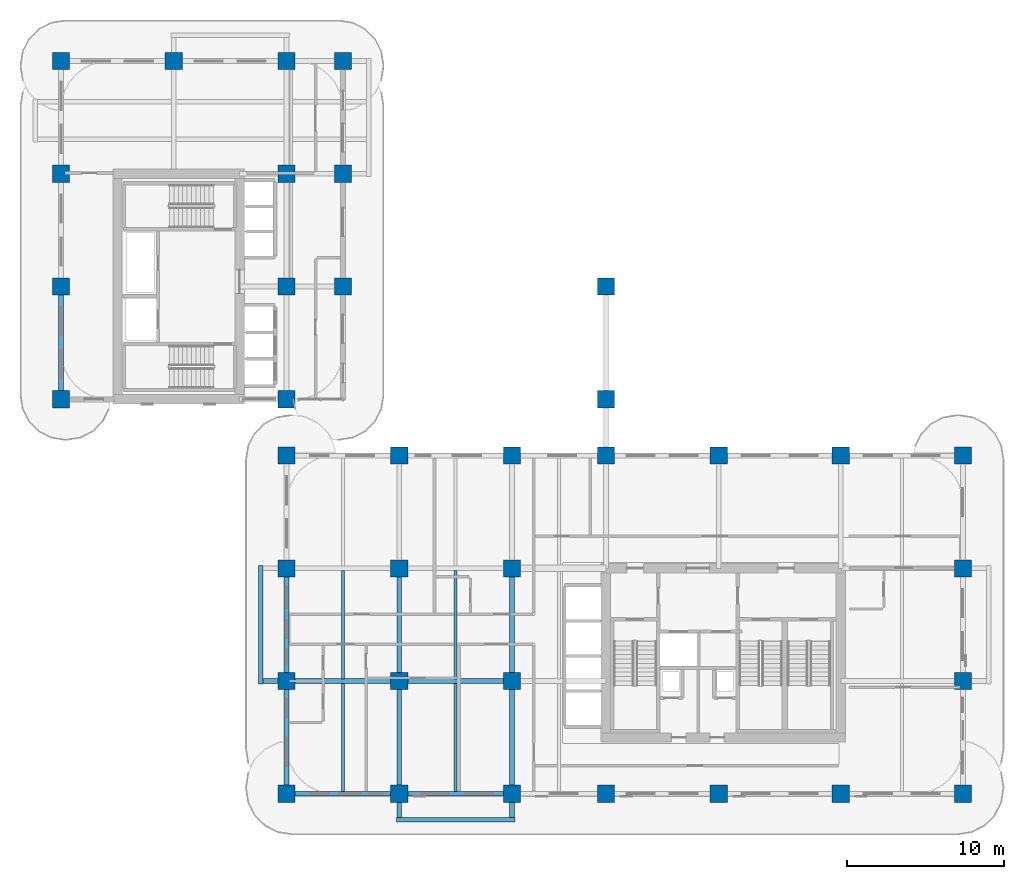
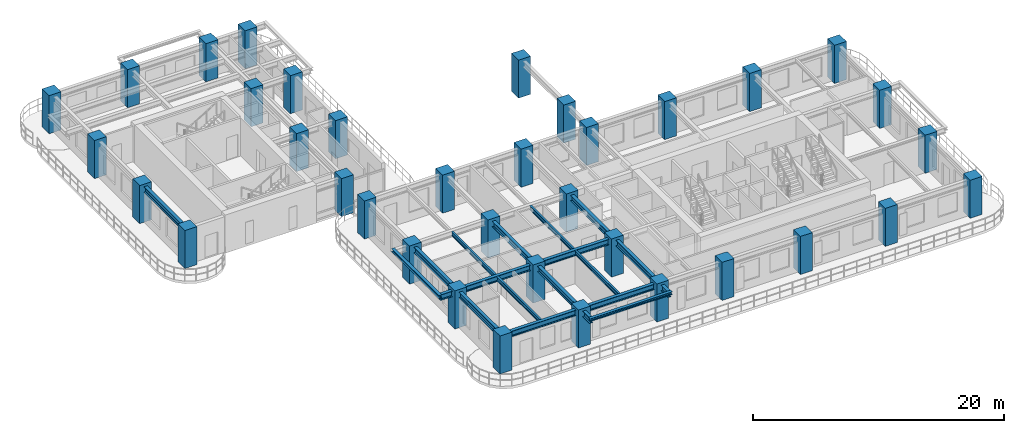
# One storey, part 1 of 19: 36 columns, 17 beams.
"""IFC4 building model written with IfcOpenShell, lengths in metres."""

from ifc_helpers import new_model, si_unit, derived_unit, direction, frame, origin, origin_2d, place, context, subcontext, project, spatial, rectangle, i_section, extrude, source, transform, mapped, material, material_profile, profile_set, type_object, type_shapes, element, save


model = new_model("IFC4")

# Units and contexts
model_context = context("Model", 3, precision=1e-05, world=origin(), true_north=direction((0.0, 1.0)))
body_context = subcontext(model_context, "Body", "Model", "MODEL_VIEW")
ifc_project = project(units=[si_unit("LENGTHUNIT", "METRE"), si_unit("AREAUNIT", "SQUARE_METRE"), si_unit("VOLUMEUNIT", "CUBIC_METRE"), si_unit("PLANEANGLEUNIT", "RADIAN"), si_unit("MASSUNIT", "GRAM", prefix="KILO"), si_unit("THERMODYNAMICTEMPERATUREUNIT", "KELVIN"), si_unit("POWERUNIT", "WATT"), derived_unit("THERMALTRANSMITTANCEUNIT", [(si_unit("POWERUNIT", "WATT"), 1), (si_unit("AREAUNIT", "SQUARE_METRE"), -1), (si_unit("THERMODYNAMICTEMPERATUREUNIT", "KELVIN"), -1)])], contexts=[model_context])

# Site, building, storey
site_placement = place(None, origin())
site = spatial("IfcSite", under=ifc_project, at=site_placement, CompositionType="ELEMENT")
building_placement = place(site_placement, origin())
building = spatial("IfcBuilding", under=site, at=building_placement, Name="Zahravan Archway Hotel and Residences", CompositionType="ELEMENT")
storey_placement = place(building_placement, frame((0.0, 0.0, 62.0)))
storey = spatial("IfcBuildingStorey", under=building, at=storey_placement, Name="L14", CompositionType="ELEMENT", Elevation=62.0)

# Columns
ifc_material_1 = material(Name="Concrete C70/85", Category="concrete")
ifc_material_profile_1 = material_profile(ifc_material_1, rectangle(XDim=1.10009765625, YDim=1.10009765625, at=origin_2d()), Name="RC 1100x1100", Category="concrete")
ifc_profile_set_1 = profile_set([ifc_material_profile_1], Name="Concrete C70/85")
column_type = type_object("IfcColumnType", Name="COL-RC-1100", PredefinedType="COLUMN", material=ifc_profile_set_1)
shared_shape_1 = source(origin(), body_context, "Body", "SweptSolid", [
    extrude(rectangle(XDim=1.10009765625, YDim=1.10009765625, at=origin_2d()), origin(), (0.0, 0.0, 1.0), 3.699951171875),
])
for number, where, z_axis, x_axis, name in (
    (1, (0.0, 25.199951171875, 0.0), (0.0, 0.0, 1.0), (1.0, 0.0, 0.0), "L14 Column 1-E"),
    (2, (0.0, 32.39990234375, 0.0), (0.0, 0.0, 1.0), (1.0, 0.0, 0.0), "L14 Column 1-F"),
    (3, (0.0, 39.60009765625, 0.0), (0.0, 0.0, 1.0), (1.0, 0.0, 0.0), "L14 Column 1-G"),
    (4, (0.0, 46.800048828125, 0.0), (0.0, 0.0, 1.0), (1.0, 0.0, 0.0), "L14 Column 1-H"),
    (5, (7.199951171875, 46.800048828125, 0.0), (0.0, 0.0, 1.0), (1.0, 0.0, 0.0), "L14 Column 2-H"),
    (6, (14.39990234375, 0.0, 0.0), (0.0, 0.0, 1.0), (1.0, 0.0, 0.0), "L14 Column 3-A"),
    (7, (14.39990234375, 7.199951171875, 0.0), (0.0, 0.0, 1.0), (1.0, 0.0, 0.0), "L14 Column 3-B"),
    (8, (14.39990234375, 14.39990234375, 0.0), (0.0, 0.0, 1.0), (1.0, 0.0, 0.0), "L14 Column 3-C"),
    (9, (14.39990234375, 21.60009765625, 0.0), (0.0, 0.0, 1.0), (1.0, 0.0, 0.0), "L14 Column 3-D"),
    (10, (14.39990234375, 25.199951171875, 0.0), (0.0, 0.0, 1.0), (1.0, 0.0, 0.0), "L14 Column 3-E"),
    (11, (14.39990234375, 32.39990234375, 0.0), (0.0, 0.0, 1.0), (1.0, 0.0, 0.0), "L14 Column 3-F"),
    (12, (14.39990234375, 39.60009765625, 0.0), (0.0, 0.0, 1.0), (1.0, 0.0, 0.0), "L14 Column 3-G"),
    (13, (14.39990234375, 46.800048828125, 0.0), (0.0, 0.0, 1.0), (1.0, 0.0, 0.0), "L14 Column 3-H"),
    (14, (21.60009765625, 0.0, 0.0), (0.0, 0.0, 1.0), (1.0, 0.0, 0.0), "L14 Column 4-A"),
    (15, (21.60009765625, 7.199951171875, 0.0), (0.0, 0.0, 1.0), (1.0, 0.0, 0.0), "L14 Column 4-B"),
    (16, (21.60009765625, 14.39990234375, 0.0), (0.0, 0.0, 1.0), (1.0, 0.0, 0.0), "L14 Column 4-C"),
    (17, (21.60009765625, 21.60009765625, 0.0), (0.0, 0.0, 1.0), (1.0, 0.0, 0.0), "L14 Column 4-D"),
    (18, (28.800048828125, 0.0, 0.0), (0.0, 0.0, 1.0), (1.0, 0.0, 0.0), "L14 Column 5-A"),
    (19, (28.800048828125, 7.199951171875, 0.0), (0.0, 0.0, 1.0), (1.0, 0.0, 0.0), "L14 Column 5-B"),
    (20, (28.800048828125, 14.39990234375, 0.0), (0.0, 0.0, 1.0), (1.0, 0.0, 0.0), "L14 Column 5-C"),
    (21, (28.800048828125, 21.60009765625, 0.0), (0.0, 0.0, 1.0), (1.0, 0.0, 0.0), "L14 Column 5-D"),
    (22, (34.800048828125, 0.0, 0.0), (0.0, 0.0, 1.0), (1.0, 0.0, 0.0), "L14 Column 6-A"),
    (23, (34.800048828125, 21.60009765625, 0.0), (0.0, 0.0, 1.0), (1.0, 0.0, 0.0), "L14 Column 6-D"),
    (24, (42.0, 0.0, 0.0), (0.0, 0.0, 1.0), (1.0, 0.0, 0.0), "L14 Column 7-A"),
    (25, (42.0, 21.60009765625, 0.0), (0.0, 0.0, 1.0), (1.0, 0.0, 0.0), "L14 Column 7-D"),
    (26, (49.800048828125, 0.0, 0.0), (0.0, 0.0, 1.0), (1.0, 0.0, 0.0), "L14 Column 8-A"),
    (27, (49.800048828125, 21.60009765625, 0.0), (0.0, 0.0, 1.0), (1.0, 0.0, 0.0), "L14 Column 8-D"),
    (28, (57.60009765625, 0.0, 0.0), (0.0, 0.0, 1.0), (1.0, 0.0, 0.0), "L14 Column 9-A"),
    (29, (57.60009765625, 7.199951171875, 0.0), (0.0, 0.0, 1.0), (1.0, 0.0, 0.0), "L14 Column 9-B"),
    (30, (57.60009765625, 14.39990234375, 0.0), (0.0, 0.0, 1.0), (1.0, 0.0, 0.0), "L14 Column 9-C"),
    (31, (57.60009765625, 21.60009765625, 0.0), (0.0, 0.0, 1.0), (1.0, 0.0, 0.0), "L14 Column 9-D"),
    (32, (18.0, 32.39990234375, 0.0), (0.0, 0.0, 1.0), (1.0, 0.0, 0.0), "L14 Column 3B-F"),
    (33, (18.0, 39.60009765625, 0.0), (0.0, 0.0, 1.0), (1.0, 0.0, 0.0), "L14 Column 3B-G"),
    (34, (18.0, 46.800048828125, 0.0), (0.0, 0.0, 1.0), (1.0, 0.0, 0.0), "L14 Column 3B-H"),
    (35, (34.800048828125, 25.199951171875, 0.0), (0.0, 0.0, 1.0), (1.0, 0.0, 0.0), "L14 Column 6-E"),
    (36, (34.800048828125, 32.39990234375, 0.0), (0.0, 0.0, 1.0), (1.0, 0.0, 0.0), "L14 Column 6-F"),
):
    element("IfcColumn", number, at=place(storey_placement, frame(where, z_axis=z_axis, x_axis=x_axis)), inside=storey, type_object=column_type, Name=name, PredefinedType="COLUMN", context=body_context, shape_type="MappedRepresentation", body=[
        mapped(shared_shape_1, transform((0.0, 0.0, 0.0), scale=1.0)),
    ])

# Beams
ifc_material_2 = material(Name="Structural Steel S355JR", Category="steel")
ifc_material_profile_2 = material_profile(ifc_material_2, i_section(OverallWidth=0.280029296875, OverallDepth=0.280029296875, WebThickness=0.010498046875, FlangeThickness=0.01806640625, FilletRadius=0.02392578125, at=origin_2d()), Name="HEB 280", Category="steel")
ifc_profile_set_2 = profile_set([ifc_material_profile_2], Name="Structural Steel S355JR")
beam_type_1 = type_object("IfcBeamType", Name="BM-SPN-HEB280", PredefinedType="SPANDREL", material=ifc_profile_set_2)
shared_shape_2 = source(origin(), body_context, "Body", "SweptSolid", [
    extrude(i_section(OverallWidth=0.280029296875, OverallDepth=0.280029296875, WebThickness=0.010498046875, FlangeThickness=0.01806640625, FilletRadius=0.02392578125, at=origin_2d()), origin(), (0.0, 0.0, 1.0), 7.56005859375),
])
type_shapes(beam_type_1, [shared_shape_2])
for number, where, z_axis, x_axis, name in (
    (37, (12.75, 7.02001953125, 3.31005859375), (0.0, 1.0, 0.0), (-1.0, 0.0, 0.0), "L15 WA Balcony Edge Spandrel"),
    (38, (21.419921875, -1.64990234375, 3.31005859375), (1.0, 0.0, 0.0), (0.0, 1.0, 0.0), "L15 SA Balcony Edge Spandrel"),
):
    element("IfcBeam", number, at=place(storey_placement, frame(where, z_axis=z_axis, x_axis=x_axis)), inside=storey, type_object=beam_type_1, Name=name, PredefinedType="SPANDREL", context=body_context, shape_type="MappedRepresentation", body=[
        mapped(shared_shape_2, transform((0.0, 0.0, 0.0), scale=1.0)),
    ])
ifc_material_profile_3 = material_profile(ifc_material_2, i_section(OverallWidth=0.300048828125, OverallDepth=0.550048828125, WebThickness=0.014892578125, FlangeThickness=0.029052734375, FilletRadius=0.027099609375, at=origin_2d()), Name="HEB 550", Category="steel")
ifc_profile_set_3 = profile_set([ifc_material_profile_3], Name="Structural Steel S355JR")
beam_type_2 = type_object("IfcBeamType", Name="BM-PRI-HEB550", PredefinedType="BEAM", material=ifc_profile_set_3)
shared_shape_3 = source(origin(), body_context, "Body", "SweptSolid", [
    extrude(i_section(OverallWidth=0.300048828125, OverallDepth=0.550048828125, WebThickness=0.014892578125, FlangeThickness=0.029052734375, FilletRadius=0.027099609375, at=origin_2d()), origin(), (0.0, 0.0, 1.0), 7.2001953125),
])
type_shapes(beam_type_2, [shared_shape_3])
beam_1_placement = place(storey_placement, frame((14.39990234375, 0.0, 3.175048828125), z_axis=(1.0, 0.0, 0.0), x_axis=(0.0, 1.0, 0.0)))
element("IfcBeam", 39, at=beam_1_placement, inside=storey, type_object=beam_type_2, Name="L14 Primary Girder EW-01", PredefinedType="BEAM", context=body_context, shape_type="MappedRepresentation", body=[
    mapped(shared_shape_3, transform((0.0, 0.0, 0.0), scale=1.0)),
])
shared_shape_4 = source(origin(), body_context, "Body", "SweptSolid", [
    extrude(i_section(OverallWidth=0.300048828125, OverallDepth=0.550048828125, WebThickness=0.014892578125, FlangeThickness=0.029052734375, FilletRadius=0.027099609375, at=origin_2d()), origin(), (0.0, 0.0, 1.0), 7.199951171875),
])
for number, where, z_axis, x_axis, name in (
    (40, (21.60009765625, 0.0, 3.175048828125), (1.0, 0.0, 0.0), (0.0, 1.0, 0.0), "L14 Primary Girder EW-02"),
    (41, (21.60009765625, 7.199951171875, 3.175048828125), (1.0, 0.0, 0.0), (0.0, 1.0, 0.0), "L14 Primary Girder EW-08"),
    (42, (0.0, 25.199951171875, 3.175048828125), (0.0, 1.0, 0.0), (-1.0, 0.0, 0.0), "L14 Primary Girder NS-27"),
    (43, (14.39990234375, 0.0, 3.175048828125), (0.0, 1.0, 0.0), (-1.0, 0.0, 0.0), "L14 Primary Girder NS-31"),
    (44, (14.39990234375, 7.199951171875, 3.175048828125), (0.0, 1.0, 0.0), (-1.0, 0.0, 0.0), "L14 Primary Girder NS-32"),
    (45, (21.60009765625, 7.199951171875, 3.175048828125), (0.0, 1.0, 0.0), (-1.0, 0.0, 0.0), "L14 Primary Girder NS-38"),
    (46, (28.800048828125, 7.199951171875, 3.175048828125), (0.0, 1.0, 0.0), (-1.0, 0.0, 0.0), "L14 Primary Girder NS-41"),
):
    element("IfcBeam", number, at=place(storey_placement, frame(where, z_axis=z_axis, x_axis=x_axis)), inside=storey, type_object=beam_type_2, Name=name, PredefinedType="BEAM", context=body_context, shape_type="MappedRepresentation", body=[
        mapped(shared_shape_4, transform((0.0, 0.0, 0.0), scale=1.0)),
    ])
shared_shape_5 = source(origin(), body_context, "Body", "SweptSolid", [
    extrude(i_section(OverallWidth=0.300048828125, OverallDepth=0.550048828125, WebThickness=0.014892578125, FlangeThickness=0.029052734375, FilletRadius=0.027099609375, at=origin_2d()), origin(), (0.0, 0.0, 1.0), 8.85009765625),
])
beam_2_placement = place(storey_placement, frame((12.75, 7.199951171875, 3.175048828125), z_axis=(1.0, 0.0, 0.0), x_axis=(0.0, 1.0, 0.0)))
element("IfcBeam", 47, at=beam_2_placement, inside=storey, type_object=beam_type_2, Name="L14 Primary Girder EW-07", PredefinedType="BEAM", context=body_context, shape_type="MappedRepresentation", body=[
    mapped(shared_shape_5, transform((0.0, 0.0, 0.0), scale=1.0)),
])
shared_shape_6 = source(origin(), body_context, "Body", "SweptSolid", [
    extrude(i_section(OverallWidth=0.300048828125, OverallDepth=0.550048828125, WebThickness=0.014892578125, FlangeThickness=0.029052734375, FilletRadius=0.027099609375, at=origin_2d()), origin(), (0.0, 0.0, 1.0), 8.849853515625),
])
for number, where, z_axis, x_axis, name in (
    (48, (21.60009765625, -1.64990234375, 3.175048828125), (0.0, 1.0, 0.0), (-1.0, 0.0, 0.0), "L14 Primary Girder NS-37"),
    (49, (28.800048828125, -1.64990234375, 3.175048828125), (0.0, 1.0, 0.0), (-1.0, 0.0, 0.0), "L14 Primary Girder NS-40"),
):
    element("IfcBeam", number, at=place(storey_placement, frame(where, z_axis=z_axis, x_axis=x_axis)), inside=storey, type_object=beam_type_2, Name=name, PredefinedType="BEAM", context=body_context, shape_type="MappedRepresentation", body=[
        mapped(shared_shape_6, transform((0.0, 0.0, 0.0), scale=1.0)),
    ])
ifc_material_profile_4 = material_profile(ifc_material_2, i_section(OverallWidth=0.179931640625, OverallDepth=0.39990234375, WebThickness=0.008544921875, FlangeThickness=0.013427734375, FilletRadius=0.02099609375, at=origin_2d()), Name="IPE 400", Category="steel")
ifc_profile_set_4 = profile_set([ifc_material_profile_4], Name="Structural Steel S355JR")
beam_type_3 = type_object("IfcBeamType", Name="BM-JST-IPE400", PredefinedType="JOIST", material=ifc_profile_set_4)
shared_shape_7 = source(origin(), body_context, "Body", "SweptSolid", [
    extrude(i_section(OverallWidth=0.179931640625, OverallDepth=0.39990234375, WebThickness=0.008544921875, FlangeThickness=0.013427734375, FilletRadius=0.02099609375, at=origin_2d()), origin(), (0.0, 0.0, 1.0), 6.904052734375),
])
type_shapes(beam_type_3, [shared_shape_7])
for number, where, z_axis, x_axis, name in (
    (50, (18.0, 0.14794921875, 3.25), (0.0, 1.0, 0.0), (-1.0, 0.0, 0.0), "L14 Composite Floor Joist 01"),
    (51, (25.199951171875, 0.14794921875, 3.25), (0.0, 1.0, 0.0), (-1.0, 0.0, 0.0), "L14 Composite Floor Joist 02"),
    (52, (18.0, 7.347900390625, 3.25), (0.0, 1.0, 0.0), (-1.0, 0.0, 0.0), "L14 Composite Floor Joist 05"),
    (53, (25.199951171875, 7.347900390625, 3.25), (0.0, 1.0, 0.0), (-1.0, 0.0, 0.0), "L14 Composite Floor Joist 06"),
):
    element("IfcBeam", number, at=place(storey_placement, frame(where, z_axis=z_axis, x_axis=x_axis)), inside=storey, type_object=beam_type_3, Name=name, PredefinedType="JOIST", context=body_context, shape_type="MappedRepresentation", body=[
        mapped(shared_shape_7, transform((0.0, 0.0, 0.0), scale=1.0)),
    ])

save(model, "model.ifc")
